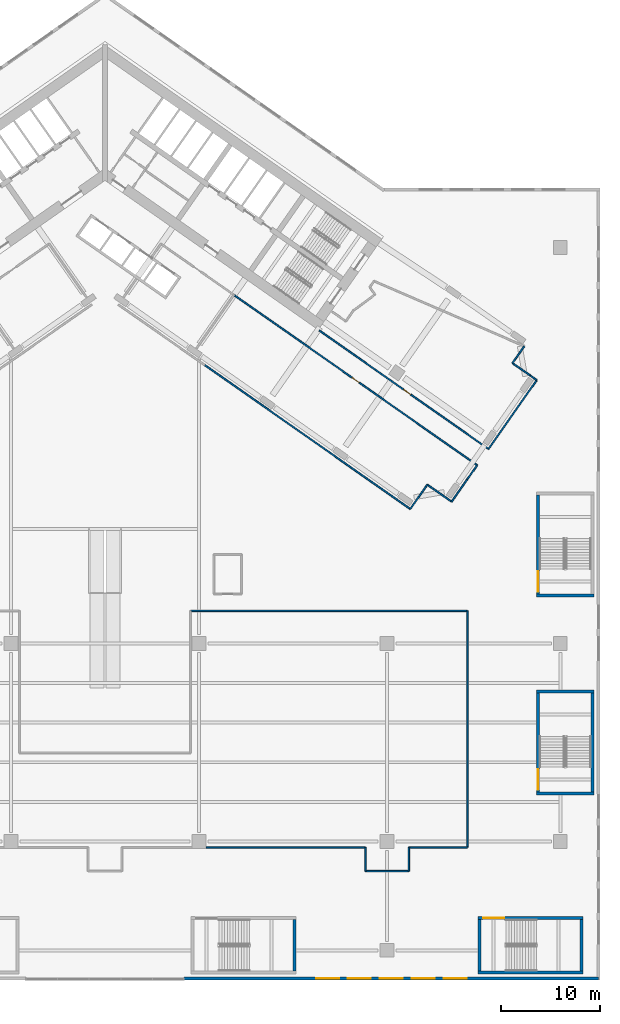
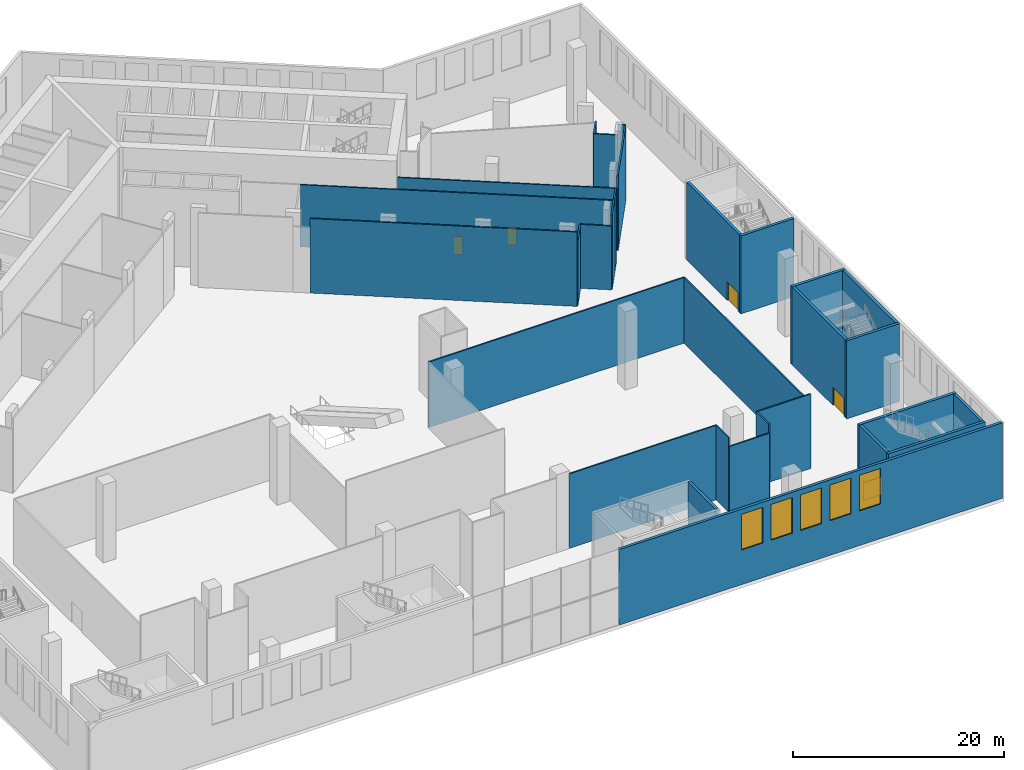
# One storey, part 8 of 27: 30 walls, 5 doors, 5 windows, 10 openings.
"""IFC4 building model written with IfcOpenShell, lengths in metres."""

from ifc_helpers import new_model, si_unit, direction, frame, frame_2d, origin, place, context, subcontext, project, spatial, rectangle, extrude, material, layer, layer_set, type_object, element, fill, save


model = new_model("IFC4")

# Units and contexts
model_context = context("Model", 3, precision=1e-05, world=origin(), true_north=direction((0.0, 1.0)))
body_context = subcontext(model_context, "Body", "Model", "MODEL_VIEW")
ifc_project = project(units=[si_unit("LENGTHUNIT", "METRE"), si_unit("AREAUNIT", "SQUARE_METRE"), si_unit("VOLUMEUNIT", "CUBIC_METRE"), si_unit("PLANEANGLEUNIT", "RADIAN"), si_unit("MASSUNIT", "GRAM", prefix="KILO")], contexts=[model_context])

# Site, building, storey
site_placement = place(None, origin())
site = spatial("IfcSite", under=ifc_project, at=site_placement, CompositionType="ELEMENT")
building_placement = place(site_placement, origin())
building = spatial("IfcBuilding", under=site, at=building_placement, Name="Tel Ilan Convention Tower", CompositionType="ELEMENT")
storey_placement = place(building_placement, frame((0.0, 0.0, 9.0)))
storey = spatial("IfcBuildingStorey", under=building, at=storey_placement, Name="L01", CompositionType="ELEMENT", Elevation=9.0)

# Wall, opening, door
ifc_material_1 = material(Name="Plasterboard on Steel Studs", Category="steel")
ifc_layer_1 = layer(ifc_material_1, 0.14990234375)
ifc_layer_set_1 = layer_set([ifc_layer_1], Name="Fire-rated Partition 150 EI 60")
wall_type_1 = type_object("IfcWallType", Name="Fire-rated Partition 150 EI 60", PredefinedType="PARTITIONING", material=ifc_layer_set_1)
wall_1_placement = place(storey_placement, frame((21.641845703125, -16.37451171875, 0.0), z_axis=(0.0, 0.0, 1.0), x_axis=(0.819148965066, -0.573580833911, 0.0)))
wall_1 = element("IfcWall", 1, at=wall_1_placement, inside=storey, type_object=wall_type_1, Name="Partition 001", PredefinedType="PARTITIONING", context=body_context, shape_type="SweptSolid", body=[
    extrude(rectangle(XDim=20.8798828125, YDim=0.14990234375, at=frame_2d((10.43994140625, 0.0))), origin(), (0.0, 0.0, 1.0), 7.179931640625),
])
opening_1_placement = place(wall_1_placement, frame((10.389892578125, 0.0, 0.0)))
opening_1 = element("IfcOpeningElement", 2, at=opening_1_placement, cuts=wall_1, Name="Opening L01-007", PredefinedType="OPENING", context=body_context, shape_type="SweptSolid", body=[
    extrude(rectangle(XDim=0.89990234375, YDim=2.10009765625, at=frame_2d((0.449951171875, 1.050048828125))), frame((0.0, 0.0849609375, 0.0), z_axis=(0.0, -1.0, 0.0), x_axis=(1.0, 0.0, 0.0)), (0.0, 0.0, 1.0), 0.169921875),
])
ifc_material_2 = material(Name="Timber Door Leaf in Steel Frame", Category="steel")
door_type_1 = type_object("IfcDoorType", Name="Room Fire Door 900x2100", OperationType="NOTDEFINED", PredefinedType="DOOR", material=ifc_material_2)
door_1_placement = place(opening_1_placement, origin())
door_1 = element("IfcDoor", 3, at=door_1_placement, inside=storey, type_object=door_type_1, Name="Door L01-007", OperationType="SINGLE_SWING_LEFT", OverallHeight=2.10009765625, OverallWidth=0.89990234375, PredefinedType="DOOR", context=body_context, shape_type="SweptSolid", body=[
    extrude(rectangle(XDim=0.89990234375, YDim=2.10009765625, at=frame_2d((0.449951171875, 1.050048828125))), frame((0.0, 0.02490234375, 0.0), z_axis=(0.0, -1.0, 0.0), x_axis=(1.0, 0.0, 0.0)), (0.0, 0.0, 1.0), 0.050048828125),
])
fill(opening_1, door_1)

wall_2_placement = place(storey_placement, frame((37.5986328125, -29.989013671875, 0.0), z_axis=(0.0, 0.0, 1.0), x_axis=(-0.819154688631, 0.57357265982, 0.0)))
wall_2 = element("IfcWall", 4, at=wall_2_placement, inside=storey, type_object=wall_type_1, Name="Partition 003", PredefinedType="PARTITIONING", context=body_context, shape_type="SweptSolid", body=[
    extrude(rectangle(XDim=30.001953125, YDim=0.14990234375, at=frame_2d((15.0009765625, 0.0))), origin(), (0.0, 0.0, 1.0), 7.179931640625),
])
opening_2_placement = place(wall_2_placement, frame((14.551025390625, 0.0, 0.0)))
opening_2 = element("IfcOpeningElement", 5, at=opening_2_placement, cuts=wall_2, Name="Opening L01-006", PredefinedType="OPENING", context=body_context, shape_type="SweptSolid", body=[
    extrude(rectangle(XDim=0.89990234375, YDim=2.10009765625, at=frame_2d((0.449951171875, 1.050048828125))), frame((0.0, 0.0849609375, 0.0), z_axis=(0.0, -1.0, 0.0), x_axis=(1.0, 0.0, 0.0)), (0.0, 0.0, 1.0), 0.169921875),
])
door_2_placement = place(opening_2_placement, origin())
door_2 = element("IfcDoor", 6, at=door_2_placement, inside=storey, type_object=door_type_1, Name="Door L01-006", OperationType="SINGLE_SWING_RIGHT", OverallHeight=2.10009765625, OverallWidth=0.89990234375, PredefinedType="DOOR", context=body_context, shape_type="SweptSolid", body=[
    extrude(rectangle(XDim=0.89990234375, YDim=2.10009765625, at=frame_2d((0.449951171875, 1.050048828125))), frame((0.0, 0.02490234375, 0.0), z_axis=(0.0, -1.0, 0.0), x_axis=(1.0, 0.0, 0.0)), (0.0, 0.0, 1.0), 0.050048828125),
])
fill(opening_2, door_2)

# Walls
wall_3_placement = place(storey_placement, frame((42.357421875, -17.96240234375, 0.0), z_axis=(0.0, 0.0, 1.0), x_axis=(-0.573533201177, -0.819182316183, 0.0)))
element("IfcWall", 7, at=wall_3_placement, inside=storey, type_object=wall_type_1, Name="Partition 008", PredefinedType="PARTITIONING", context=body_context, shape_type="SweptSolid", body=[
    extrude(rectangle(XDim=2.0810546875, YDim=0.14990234375, at=frame_2d((1.04052734375, 0.0))), origin(), (0.0, 0.0, 1.0), 7.3798828125),
])
wall_4_placement = place(storey_placement, frame((41.163818359375, -19.667236328125, 0.0), z_axis=(0.0, 0.0, 1.0), x_axis=(0.81912956014, -0.573608545704, 0.0)))
element("IfcWall", 8, at=wall_4_placement, inside=storey, type_object=wall_type_1, Name="Partition 009", PredefinedType="PARTITIONING", context=body_context, shape_type="SweptSolid", body=[
    extrude(rectangle(XDim=2.2412109375, YDim=0.14990234375, at=frame_2d((1.12060546875, 0.0))), origin(), (0.0, 0.0, 1.0), 7.3798828125),
])
wall_5_placement = place(storey_placement, frame((42.998046875, -20.95166015625, 0.0), z_axis=(0.0, 0.0, 1.0), x_axis=(0.819141432686, -0.573591590992, 0.0)))
element("IfcWall", 9, at=wall_5_placement, inside=storey, type_object=wall_type_1, Name="Partition 010", PredefinedType="PARTITIONING", context=body_context, shape_type="SweptSolid", body=[
    extrude(rectangle(XDim=0.760498046875, YDim=0.14990234375, at=frame_2d((0.38037109375, 0.0))), origin(), (0.0, 0.0, 1.0), 8.60009765625),
])
wall_6_placement = place(storey_placement, frame((43.62109375, -21.387939453125, 0.0), z_axis=(0.0, 0.0, 1.0), x_axis=(-0.57357799764, -0.819150951061, 0.0)))
element("IfcWall", 10, at=wall_6_placement, inside=storey, type_object=wall_type_1, Name="Partition 011", PredefinedType="PARTITIONING", context=body_context, shape_type="SweptSolid", body=[
    extrude(rectangle(XDim=8.500244140625, YDim=0.14990234375, at=frame_2d((4.25, 0.0))), origin(), (0.0, 0.0, 1.0), 8.60009765625),
])
wall_7_placement = place(storey_placement, frame((32.56005859375, -31.95458984375, 0.0), z_axis=(0.0, 0.0, 1.0), x_axis=(-0.573560650686, -0.819163097304, 0.0)))
element("IfcWall", 11, at=wall_7_placement, inside=storey, type_object=wall_type_1, Name="Partition 022", PredefinedType="PARTITIONING", context=body_context, shape_type="SweptSolid", body=[
    extrude(rectangle(XDim=3.0, YDim=0.14990234375, at=frame_2d((1.5, 0.0))), origin(), (0.0, 0.0, 1.0), 7.3798828125),
])
wall_8_placement = place(storey_placement, frame((30.83935546875, -34.412109375, 0.0), z_axis=(0.0, 0.0, 1.0), x_axis=(-0.819153188106, 0.573574802808, 0.0)))
element("IfcWall", 12, at=wall_8_placement, inside=storey, type_object=wall_type_1, Name="Partition 023", PredefinedType="PARTITIONING", context=body_context, shape_type="SweptSolid", body=[
    extrude(rectangle(XDim=25.3505859375, YDim=0.14990234375, at=frame_2d((12.67529296875, 0.0))), origin(), (0.0, 0.0, 1.0), 8.60009765625),
])
wall_9_placement = place(storey_placement, frame((36.59912109375, -31.41650390625, 0.0), z_axis=(0.0, 0.0, 1.0), x_axis=(-0.573557416232, -0.819165361991, 0.0)))
element("IfcWall", 13, at=wall_9_placement, inside=storey, type_object=wall_type_1, Name="Partition 024", PredefinedType="PARTITIONING", context=body_context, shape_type="SweptSolid", body=[
    extrude(rectangle(XDim=2.75732421875, YDim=0.14990234375, at=frame_2d((1.378662109375, 0.0))), origin(), (0.0, 0.0, 1.0), 8.60009765625),
])
wall_10_placement = place(storey_placement, frame((35.017578125, -33.67529296875, 0.0), z_axis=(0.0, 0.0, 1.0), x_axis=(-0.819163097304, 0.573560650686, 0.0)))
element("IfcWall", 14, at=wall_10_placement, inside=storey, type_object=wall_type_1, Name="Partition 025", PredefinedType="PARTITIONING", context=body_context, shape_type="SweptSolid", body=[
    extrude(rectangle(XDim=3.0, YDim=0.14990234375, at=frame_2d((1.5, 0.0))), origin(), (0.0, 0.0, 1.0), 7.3798828125),
])
wall_11_placement = place(storey_placement, frame((37.5986328125, -29.989013671875, 0.0), z_axis=(0.0, 0.0, 1.0), x_axis=(-0.573575034625, -0.819153025786, 0.0)))
element("IfcWall", 15, at=wall_11_placement, inside=storey, type_object=wall_type_1, Name="Partition 026", PredefinedType="PARTITIONING", context=body_context, shape_type="SweptSolid", body=[
    extrude(rectangle(XDim=1.74462890625, YDim=0.14990234375, at=frame_2d((0.872314453125, 0.0))), origin(), (0.0, 0.0, 1.0), 8.60009765625),
])
wall_12_placement = place(storey_placement, frame((36.59912109375, -44.698974609375, 0.0), z_axis=(0.0, 0.0, 1.0), x_axis=(-1.0, 0.0, 0.0)))
element("IfcWall", 16, at=wall_12_placement, inside=storey, type_object=wall_type_1, Name="Partition 028", PredefinedType="PARTITIONING", context=body_context, shape_type="SweptSolid", body=[
    extrude(rectangle(XDim=27.9482421875, YDim=0.14990234375, at=frame_2d((13.97412109375, 0.0))), origin(), (0.0, 0.0, 1.0), 7.580078125),
])
wall_13_placement = place(storey_placement, frame((26.301025390625, -71.0009765625, 0.0), z_axis=(0.0, 0.0, 1.0), x_axis=(1.0, 0.0, 0.0)))
element("IfcWall", 17, at=wall_13_placement, inside=storey, type_object=wall_type_1, Name="Partition 040", PredefinedType="PARTITIONING", context=body_context, shape_type="SweptSolid", body=[
    extrude(rectangle(XDim=4.39794921875, YDim=0.14990234375, at=frame_2d((2.198974609375, 0.0))), origin(), (0.0, 0.0, 1.0), 7.580078125),
])
wall_14_placement = place(storey_placement, frame((10.219970703125, -68.60009765625, 0.0), z_axis=(0.0, 0.0, 1.0), x_axis=(1.0, 0.0, 0.0)))
element("IfcWall", 18, at=wall_14_placement, inside=storey, type_object=wall_type_1, Name="Partition 054", PredefinedType="PARTITIONING", context=body_context, shape_type="SweptSolid", body=[
    extrude(rectangle(XDim=16.080078125, YDim=0.14990234375, at=frame_2d((8.0400390625, 0.0))), origin(), (0.0, 0.0, 1.0), 8.60009765625),
])
for number, where, z_axis, x_axis, name in (
    (19, (26.300048828125, -68.60009765625, 0.0), (0.0, 0.0, 1.0), (0.0, -1.0, 0.0), "Partition 055"),
    (20, (30.699951171875, -71.001708984375, 0.0), (0.0, 0.0, 1.0), (0.0, 1.0, 0.0), "Partition 056"),
):
    element("IfcWall", number, at=place(storey_placement, frame(where, z_axis=z_axis, x_axis=x_axis)), inside=storey, type_object=wall_type_1, Name=name, PredefinedType="PARTITIONING", context=body_context, shape_type="SweptSolid", body=[
        extrude(rectangle(XDim=2.401611328125, YDim=0.14990234375, at=frame_2d((1.20068359375, 0.0))), origin(), (0.0, 0.0, 1.0), 8.60009765625),
    ])
wall_15_placement = place(storey_placement, frame((30.699951171875, -68.60009765625, 0.0), z_axis=(0.0, 0.0, 1.0), x_axis=(1.0, 0.0, 0.0)))
element("IfcWall", 21, at=wall_15_placement, inside=storey, type_object=wall_type_1, Name="Partition 057", PredefinedType="PARTITIONING", context=body_context, shape_type="SweptSolid", body=[
    extrude(rectangle(XDim=5.900146484375, YDim=0.14990234375, at=frame_2d((2.9501953125, 0.0))), origin(), (0.0, 0.0, 1.0), 8.60009765625),
])
wall_16_placement = place(storey_placement, frame((36.60009765625, -68.60009765625, 0.0), z_axis=(0.0, 0.0, 1.0), x_axis=(0.0, 1.0, 0.0)))
element("IfcWall", 22, at=wall_16_placement, inside=storey, type_object=wall_type_1, Name="Partition 058", PredefinedType="PARTITIONING", context=body_context, shape_type="SweptSolid", body=[
    extrude(rectangle(XDim=23.90185546875, YDim=0.14990234375, at=frame_2d((11.950927734375, 0.0))), origin(), (0.0, 0.0, 1.0), 7.580078125),
])

# Wall, openings, windows
ifc_material_3 = material(Name="Bronze aluminium cladding panel on insulated steel frame", Category="steel")
ifc_layer_2 = layer(ifc_material_3, 0.300048828125)
ifc_layer_set_2 = layer_set([ifc_layer_2], Name="PODIUM CLADDING WALL 300")
wall_type_2 = type_object("IfcWallType", Name="PODIUM CLADDING WALL 300", PredefinedType="SOLIDWALL", material=ifc_layer_set_2)
wall_17_placement = place(storey_placement, frame((8.0, -81.85009765625, 0.0), z_axis=(0.0, 0.0, 1.0), x_axis=(1.0, 0.0, 0.0)))
wall_17 = element("IfcWall", 23, at=wall_17_placement, inside=storey, type_object=wall_type_2, Name="Podium cladding wall", PredefinedType="SOLIDWALL", context=body_context, shape_type="SweptSolid", body=[
    extrude(rectangle(XDim=41.85009765625, YDim=0.300048828125, at=frame_2d((20.925048828125, 0.0))), origin(), (0.0, 0.0, 1.0), 8.719970703125),
])
opening_3_placement = place(wall_17_placement, frame((13.326904296875, 0.0, 4.0)))
opening_3 = element("IfcOpeningElement", 24, at=opening_3_placement, cuts=wall_17, Name="Opening W-04.006", PredefinedType="OPENING", context=body_context, shape_type="SweptSolid", body=[
    extrude(rectangle(XDim=2.3193359375, YDim=4.1201171875, at=frame_2d((1.15966796875, 2.06005859375))), frame((0.0, 0.159912109375, 0.0), z_axis=(0.0, -1.0, 0.0), x_axis=(1.0, 0.0, 0.0)), (0.0, 0.0, 1.0), 0.320068359375),
])
opening_4_placement = place(wall_17_placement, frame((16.546142578125, 0.0, 4.0)))
opening_4 = element("IfcOpeningElement", 25, at=opening_4_placement, cuts=wall_17, Name="Opening W-04.007", PredefinedType="OPENING", context=body_context, shape_type="SweptSolid", body=[
    extrude(rectangle(XDim=2.3193359375, YDim=4.1201171875, at=frame_2d((1.15966796875, 2.06005859375))), frame((0.0, 0.159912109375, 0.0), z_axis=(0.0, -1.0, 0.0), x_axis=(1.0, 0.0, 0.0)), (0.0, 0.0, 1.0), 0.320068359375),
])
opening_5_placement = place(wall_17_placement, frame((19.765380859375, 0.0, 4.0)))
opening_5 = element("IfcOpeningElement", 26, at=opening_5_placement, cuts=wall_17, Name="Opening W-04.008", PredefinedType="OPENING", context=body_context, shape_type="SweptSolid", body=[
    extrude(rectangle(XDim=2.3193359375, YDim=4.1201171875, at=frame_2d((1.15966796875, 2.06005859375))), frame((0.0, 0.159912109375, 0.0), z_axis=(0.0, -1.0, 0.0), x_axis=(1.0, 0.0, 0.0)), (0.0, 0.0, 1.0), 0.320068359375),
])
opening_6_placement = place(wall_17_placement, frame((22.984619140625, 0.0, 4.0)))
opening_6 = element("IfcOpeningElement", 27, at=opening_6_placement, cuts=wall_17, Name="Opening W-04.009", PredefinedType="OPENING", context=body_context, shape_type="SweptSolid", body=[
    extrude(rectangle(XDim=2.3193359375, YDim=4.1201171875, at=frame_2d((1.15966796875, 2.06005859375))), frame((0.0, 0.159912109375, 0.0), z_axis=(0.0, -1.0, 0.0), x_axis=(1.0, 0.0, 0.0)), (0.0, 0.0, 1.0), 0.320068359375),
])
opening_7_placement = place(wall_17_placement, frame((26.203857421875, 0.0, 4.0)))
opening_7 = element("IfcOpeningElement", 28, at=opening_7_placement, cuts=wall_17, Name="Opening W-04.010", PredefinedType="OPENING", context=body_context, shape_type="SweptSolid", body=[
    extrude(rectangle(XDim=2.3193359375, YDim=4.1201171875, at=frame_2d((1.15966796875, 2.06005859375))), frame((0.0, 0.159912109375, 0.0), z_axis=(0.0, -1.0, 0.0), x_axis=(1.0, 0.0, 0.0)), (0.0, 0.0, 1.0), 0.320068359375),
])
ifc_material_4 = material(Name="Aluminium framed glazing, bronze anodised, tinted glass", Category="aluminium")
window_type = type_object("IfcWindowType", Name="PODIUM WINDOW 2319x4120", PartitioningType="SINGLE_PANEL", PredefinedType="WINDOW", material=ifc_material_4)
window_1_placement = place(opening_3_placement, origin())
window_1 = element("IfcWindow", 29, at=window_1_placement, inside=storey, type_object=window_type, Name="Podium window", OverallHeight=4.1201171875, OverallWidth=2.3193359375, PartitioningType="SINGLE_PANEL", PredefinedType="WINDOW", context=body_context, shape_type="SweptSolid", body=[
    extrude(rectangle(XDim=2.3193359375, YDim=4.1201171875, at=frame_2d((1.15966796875, 2.06005859375))), frame((0.0, 0.030029296875, 0.0), z_axis=(0.0, -1.0, 0.0), x_axis=(1.0, 0.0, 0.0)), (0.0, 0.0, 1.0), 0.06005859375),
])
fill(opening_3, window_1)
window_2_placement = place(opening_4_placement, origin())
window_2 = element("IfcWindow", 30, at=window_2_placement, inside=storey, type_object=window_type, Name="Podium window", OverallHeight=4.1201171875, OverallWidth=2.3193359375, PartitioningType="SINGLE_PANEL", PredefinedType="WINDOW", context=body_context, shape_type="SweptSolid", body=[
    extrude(rectangle(XDim=2.3193359375, YDim=4.1201171875, at=frame_2d((1.15966796875, 2.06005859375))), frame((0.0, 0.030029296875, 0.0), z_axis=(0.0, -1.0, 0.0), x_axis=(1.0, 0.0, 0.0)), (0.0, 0.0, 1.0), 0.06005859375),
])
fill(opening_4, window_2)
window_3_placement = place(opening_5_placement, origin())
window_3 = element("IfcWindow", 31, at=window_3_placement, inside=storey, type_object=window_type, Name="Podium window", OverallHeight=4.1201171875, OverallWidth=2.3193359375, PartitioningType="SINGLE_PANEL", PredefinedType="WINDOW", context=body_context, shape_type="SweptSolid", body=[
    extrude(rectangle(XDim=2.3193359375, YDim=4.1201171875, at=frame_2d((1.15966796875, 2.06005859375))), frame((0.0, 0.030029296875, 0.0), z_axis=(0.0, -1.0, 0.0), x_axis=(1.0, 0.0, 0.0)), (0.0, 0.0, 1.0), 0.06005859375),
])
fill(opening_5, window_3)
window_4_placement = place(opening_6_placement, origin())
window_4 = element("IfcWindow", 32, at=window_4_placement, inside=storey, type_object=window_type, Name="Podium window", OverallHeight=4.1201171875, OverallWidth=2.3193359375, PartitioningType="SINGLE_PANEL", PredefinedType="WINDOW", context=body_context, shape_type="SweptSolid", body=[
    extrude(rectangle(XDim=2.3193359375, YDim=4.1201171875, at=frame_2d((1.15966796875, 2.06005859375))), frame((0.0, 0.030029296875, 0.0), z_axis=(0.0, -1.0, 0.0), x_axis=(1.0, 0.0, 0.0)), (0.0, 0.0, 1.0), 0.06005859375),
])
fill(opening_6, window_4)
window_5_placement = place(opening_7_placement, origin())
window_5 = element("IfcWindow", 33, at=window_5_placement, inside=storey, type_object=window_type, Name="Podium window", OverallHeight=4.1201171875, OverallWidth=2.3193359375, PartitioningType="SINGLE_PANEL", PredefinedType="WINDOW", context=body_context, shape_type="SweptSolid", body=[
    extrude(rectangle(XDim=2.3193359375, YDim=4.1201171875, at=frame_2d((1.15966796875, 2.06005859375))), frame((0.0, 0.030029296875, 0.0), z_axis=(0.0, -1.0, 0.0), x_axis=(1.0, 0.0, 0.0)), (0.0, 0.0, 1.0), 0.06005859375),
])
fill(opening_7, window_5)

# Walls
ifc_material_5 = material(Name="Concrete C40/50", Category="concrete")
ifc_layer_3 = layer(ifc_material_5, 0.300048828125)
ifc_layer_set_3 = layer_set([ifc_layer_3], Name="Stair Enclosure Wall 300 mm C40/50")
wall_type_3 = type_object("IfcWallType", Name="Stair Enclosure Wall 300 mm C40/50", PredefinedType="SOLIDWALL", material=ifc_layer_set_3)
wall_18_placement = place(storey_placement, frame((19.14990234375, -81.10009765625, 0.0), z_axis=(0.0, 0.0, 1.0), x_axis=(0.0, 1.0, 0.0)))
element("IfcWall", 34, at=wall_18_placement, inside=storey, type_object=wall_type_3, Name="P3 stair enclosure wall E L01", PredefinedType="SOLIDWALL", context=body_context, shape_type="SweptSolid", body=[
    extrude(rectangle(XDim=5.2001953125, YDim=0.300048828125, at=frame_2d((2.60009765625, 0.0))), origin(), (0.0, 0.0, 1.0), 9.0),
])
wall_19_placement = place(storey_placement, frame((37.699951171875, -81.25, 0.0), z_axis=(0.0, 0.0, 1.0), x_axis=(1.0, 0.0, 0.0)))
element("IfcWall", 35, at=wall_19_placement, inside=storey, type_object=wall_type_3, Name="P4 stair enclosure wall S L01", PredefinedType="SOLIDWALL", context=body_context, shape_type="SweptSolid", body=[
    extrude(rectangle(XDim=10.60009765625, YDim=0.300048828125, at=frame_2d((5.300048828125, 0.0))), origin(), (0.0, 0.0, 1.0), 9.0),
])

# Wall, opening, door
wall_20_placement = place(storey_placement, frame((37.699951171875, -75.75, 0.0), z_axis=(0.0, 0.0, 1.0), x_axis=(1.0, 0.0, 0.0)))
wall_20 = element("IfcWall", 36, at=wall_20_placement, inside=storey, type_object=wall_type_3, Name="P4 stair enclosure wall N L01", PredefinedType="SOLIDWALL", context=body_context, shape_type="SweptSolid", body=[
    extrude(rectangle(XDim=10.60009765625, YDim=0.300048828125, at=frame_2d((5.300048828125, 0.0))), origin(), (0.0, 0.0, 1.0), 9.0),
])
opening_8_placement = place(wall_20_placement, frame((0.512451171875, 0.0, 0.0)))
opening_8 = element("IfcOpeningElement", 37, at=opening_8_placement, cuts=wall_20, Name="Opening PD404", PredefinedType="OPENING", context=body_context, shape_type="SweptSolid", body=[
    extrude(rectangle(XDim=2.10009765625, YDim=2.10009765625, at=frame_2d((1.050048828125, 1.050048828125))), frame((0.0, 0.159912109375, 0.0), z_axis=(0.0, -1.0, 0.0), x_axis=(1.0, 0.0, 0.0)), (0.0, 0.0, 1.0), 0.320068359375),
])
ifc_material_6 = material(Name="Galvanised Steel Door Leaf", Category="steel")
door_type_2 = type_object("IfcDoorType", Name="Stair Fire Door 2100 x 2100 FD60S", OperationType="NOTDEFINED", PredefinedType="DOOR", material=ifc_material_6)
door_3_placement = place(opening_8_placement, origin())
door_3 = element("IfcDoor", 38, at=door_3_placement, inside=storey, type_object=door_type_2, Name="Stair P4 floor door", OperationType="DOUBLE_DOOR_SINGLE_SWING", OverallHeight=2.10009765625, OverallWidth=2.10009765625, PredefinedType="DOOR", context=body_context, shape_type="SweptSolid", body=[
    extrude(rectangle(XDim=2.10009765625, YDim=2.10009765625, at=frame_2d((1.050048828125, 1.050048828125))), frame((0.0, 0.02490234375, 0.0), z_axis=(0.0, -1.0, 0.0), x_axis=(1.0, 0.0, 0.0)), (0.0, 0.0, 1.0), 0.050048828125),
])
fill(opening_8, door_3)

# Walls
for number, where, z_axis, x_axis, name in (
    (39, (37.85009765625, -81.10009765625, 0.0), (0.0, 0.0, 1.0), (0.0, 1.0, 0.0), "P4 stair enclosure wall W L01"),
    (40, (48.14990234375, -81.10009765625, 0.0), (0.0, 0.0, 1.0), (0.0, 1.0, 0.0), "P4 stair enclosure wall E L01"),
):
    element("IfcWall", number, at=place(storey_placement, frame(where, z_axis=z_axis, x_axis=x_axis)), inside=storey, type_object=wall_type_3, Name=name, PredefinedType="SOLIDWALL", context=body_context, shape_type="SweptSolid", body=[
        extrude(rectangle(XDim=5.2001953125, YDim=0.300048828125, at=frame_2d((2.60009765625, 0.0))), origin(), (0.0, 0.0, 1.0), 9.0),
    ])
for number, where, z_axis, x_axis, name in (
    (41, (43.60009765625, -63.14990234375, 0.0), (0.0, 0.0, 1.0), (1.0, 0.0, 0.0), "P6 stair enclosure wall S L01"),
    (42, (43.60009765625, -52.85009765625, 0.0), (0.0, 0.0, 1.0), (1.0, 0.0, 0.0), "P6 stair enclosure wall N L01"),
):
    element("IfcWall", number, at=place(storey_placement, frame(where, z_axis=z_axis, x_axis=x_axis)), inside=storey, type_object=wall_type_3, Name=name, PredefinedType="SOLIDWALL", context=body_context, shape_type="SweptSolid", body=[
        extrude(rectangle(XDim=5.7998046875, YDim=0.300048828125, at=frame_2d((2.89990234375, 0.0))), origin(), (0.0, 0.0, 1.0), 9.0),
    ])

# Wall, opening, door
wall_21_placement = place(storey_placement, frame((43.75, -63.0, 0.0), z_axis=(0.0, 0.0, 1.0), x_axis=(0.0, 1.0, 0.0)))
wall_21 = element("IfcWall", 43, at=wall_21_placement, inside=storey, type_object=wall_type_3, Name="P6 stair enclosure wall W L01", PredefinedType="SOLIDWALL", context=body_context, shape_type="SweptSolid", body=[
    extrude(rectangle(XDim=10.0, YDim=0.300048828125, at=frame_2d((5.0, 0.0))), origin(), (0.0, 0.0, 1.0), 9.0),
])
opening_9_placement = place(wall_21_placement, frame((0.21240234375, 0.0, 0.0)))
opening_9 = element("IfcOpeningElement", 44, at=opening_9_placement, cuts=wall_21, Name="Opening PD604", PredefinedType="OPENING", context=body_context, shape_type="SweptSolid", body=[
    extrude(rectangle(XDim=2.10009765625, YDim=2.10009765625, at=frame_2d((1.050048828125, 1.050048828125))), frame((0.0, 0.159912109375, 0.0), z_axis=(0.0, -1.0, 0.0), x_axis=(1.0, 0.0, 0.0)), (0.0, 0.0, 1.0), 0.320068359375),
])
door_4_placement = place(opening_9_placement, origin())
door_4 = element("IfcDoor", 45, at=door_4_placement, inside=storey, type_object=door_type_2, Name="Stair P6 floor door", OperationType="DOUBLE_DOOR_SINGLE_SWING", OverallHeight=2.10009765625, OverallWidth=2.10009765625, PredefinedType="DOOR", context=body_context, shape_type="SweptSolid", body=[
    extrude(rectangle(XDim=2.10009765625, YDim=2.10009765625, at=frame_2d((1.050048828125, 1.050048828125))), frame((0.0, 0.02490234375, 0.0), z_axis=(0.0, -1.0, 0.0), x_axis=(1.0, 0.0, 0.0)), (0.0, 0.0, 1.0), 0.050048828125),
])
fill(opening_9, door_4)

# Walls
wall_22_placement = place(storey_placement, frame((49.25, -63.0, 0.0), z_axis=(0.0, 0.0, 1.0), x_axis=(0.0, 1.0, 0.0)))
element("IfcWall", 46, at=wall_22_placement, inside=storey, type_object=wall_type_3, Name="P6 stair enclosure wall E L01", PredefinedType="SOLIDWALL", context=body_context, shape_type="SweptSolid", body=[
    extrude(rectangle(XDim=10.0, YDim=0.300048828125, at=frame_2d((5.0, 0.0))), origin(), (0.0, 0.0, 1.0), 9.0),
])
wall_23_placement = place(storey_placement, frame((43.60009765625, -43.14990234375, 0.0), z_axis=(0.0, 0.0, 1.0), x_axis=(1.0, 0.0, 0.0)))
element("IfcWall", 47, at=wall_23_placement, inside=storey, type_object=wall_type_3, Name="P8 stair enclosure wall S L01", PredefinedType="SOLIDWALL", context=body_context, shape_type="SweptSolid", body=[
    extrude(rectangle(XDim=5.7998046875, YDim=0.300048828125, at=frame_2d((2.89990234375, 0.0))), origin(), (0.0, 0.0, 1.0), 9.0),
])

# Wall, opening, door
wall_24_placement = place(storey_placement, frame((43.75, -43.0, 0.0), z_axis=(0.0, 0.0, 1.0), x_axis=(0.0, 1.0, 0.0)))
wall_24 = element("IfcWall", 48, at=wall_24_placement, inside=storey, type_object=wall_type_3, Name="P8 stair enclosure wall W L01", PredefinedType="SOLIDWALL", context=body_context, shape_type="SweptSolid", body=[
    extrude(rectangle(XDim=10.0, YDim=0.300048828125, at=frame_2d((5.0, 0.0))), origin(), (0.0, 0.0, 1.0), 9.0),
])
opening_10_placement = place(wall_24_placement, frame((0.21240234375, 0.0, 0.0)))
opening_10 = element("IfcOpeningElement", 49, at=opening_10_placement, cuts=wall_24, Name="Opening PD804", PredefinedType="OPENING", context=body_context, shape_type="SweptSolid", body=[
    extrude(rectangle(XDim=2.10009765625, YDim=2.10009765625, at=frame_2d((1.050048828125, 1.050048828125))), frame((0.0, 0.159912109375, 0.0), z_axis=(0.0, -1.0, 0.0), x_axis=(1.0, 0.0, 0.0)), (0.0, 0.0, 1.0), 0.320068359375),
])
door_5_placement = place(opening_10_placement, origin())
door_5 = element("IfcDoor", 50, at=door_5_placement, inside=storey, type_object=door_type_2, Name="Stair P8 floor door", OperationType="DOUBLE_DOOR_SINGLE_SWING", OverallHeight=2.10009765625, OverallWidth=2.10009765625, PredefinedType="DOOR", context=body_context, shape_type="SweptSolid", body=[
    extrude(rectangle(XDim=2.10009765625, YDim=2.10009765625, at=frame_2d((1.050048828125, 1.050048828125))), frame((0.0, 0.02490234375, 0.0), z_axis=(0.0, -1.0, 0.0), x_axis=(1.0, 0.0, 0.0)), (0.0, 0.0, 1.0), 0.050048828125),
])
fill(opening_10, door_5)

save(model, "model.ifc")
